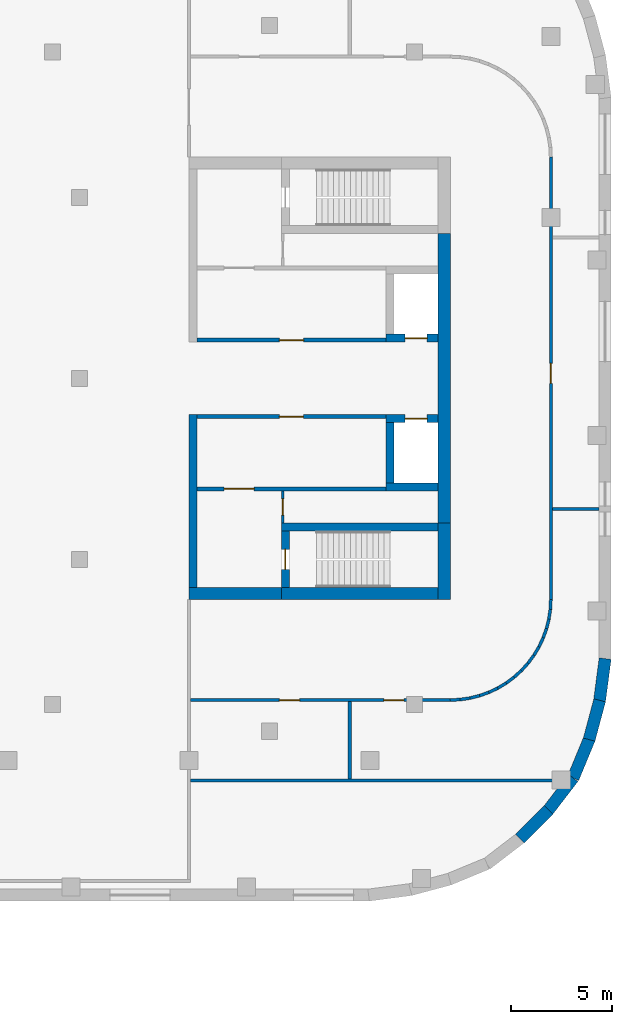
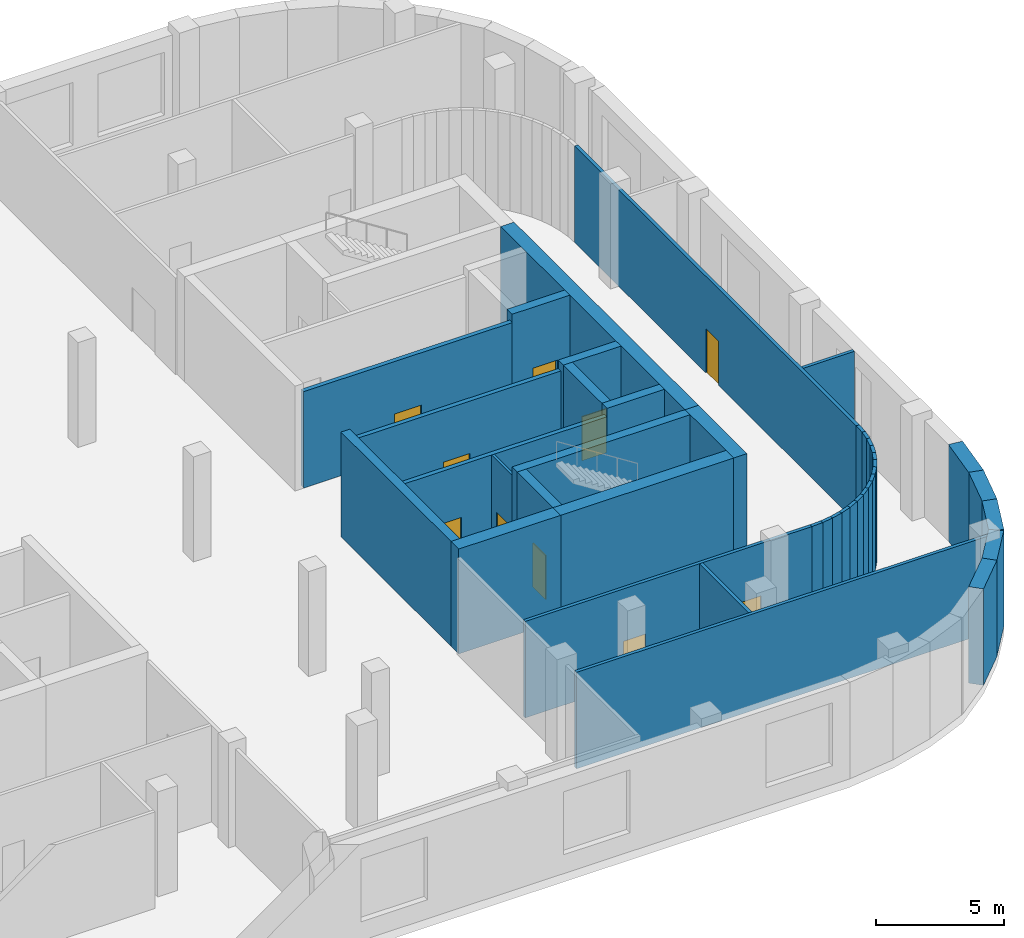
# One storey, part 15 of 20: 41 walls, 10 doors, 10 openings.
"""IFC4 building model written with IfcOpenShell, lengths in metres."""

import ifcopenshell
import ifcopenshell.guid

model = None  # the IFC model being written
_history = None  # IfcOwnerHistory: only IFC2X3 demands one
_inside = {}  # id of a spatial element -> (the spatial element, [elements in it])
_under = {}  # id of a project, library or spatial element -> (it, [spatial elements below it])
_declared = {}  # id of a project -> (the project, [libraries it declares])
_typed = {}  # id of a type object -> (the type object, [elements of that type])
_made_of = {}  # id of a material, layer set ... -> (it, [elements and type objects made of it])


def new_model(schema):
    """Start an empty IFC model of exactly this schema.

    Asked for "IFC4X3", IfcOpenShell would pick the latest addendum, in which some entities
    have other attributes; the version numbers below select the first issue.
    IFC2X3 requires an IfcOwnerHistory on every rooted entity: one is made here for all.
    """
    global model, _history
    if schema == "IFC4X3":
        model = ifcopenshell.file(schema_version=(4, 3, 0, 0))
    else:
        model = ifcopenshell.file(schema=schema)
    _inside.clear()
    _under.clear()
    _declared.clear()
    _typed.clear()
    _made_of.clear()
    _history = None
    if model.schema == "IFC2X3":
        org = make("IfcOrganization", Name="unknown")
        user = make(
            "IfcPersonAndOrganization",
            ThePerson=make("IfcPerson", FamilyName="unknown"),
            TheOrganization=org,
        )
        app = make(
            "IfcApplication",
            ApplicationDeveloper=org,
            Version="unknown",
            ApplicationFullName="unknown",
            ApplicationIdentifier="unknown",
        )
        _history = make(
            "IfcOwnerHistory",
            OwningUser=user,
            OwningApplication=app,
            ChangeAction="ADDED",
            CreationDate=0,
        )
    return model


def make(cls, **values):
    """One entity of the class cls with the attributes given. An attribute that is None is left unset."""
    return model.create_entity(
        cls, **{name: value for name, value in values.items() if value is not None}
    )


def rooted(cls, **values):
    """An entity with a GlobalId (a new one), such as an element, a storey or a relation."""
    return make(cls, GlobalId=ifcopenshell.guid.new(), OwnerHistory=_history, **values)


def si_unit(unit_type, name, prefix=None):
    """IfcSIUnit, for example si_unit("LENGTHUNIT", "METRE", prefix="MILLI")."""
    return make("IfcSIUnit", UnitType=unit_type, Prefix=prefix, Name=name)


def assignment(units):
    """IfcUnitAssignment: the units of a project."""
    return None if units is None else make("IfcUnitAssignment", Units=units)


def point(xyz):
    """IfcCartesianPoint."""
    return None if xyz is None else make("IfcCartesianPoint", Coordinates=xyz)


def direction(xyz):
    """IfcDirection."""
    return None if xyz is None else make("IfcDirection", DirectionRatios=xyz)


def frame(location, z_axis=None, x_axis=None):
    """IfcAxis2Placement3D, a coordinate frame: its origin and axes. An axis left out is left unset."""
    return make(
        "IfcAxis2Placement3D",
        Location=point(location),
        Axis=direction(z_axis),
        RefDirection=direction(x_axis),
    )


def frame_2d(location, x_axis=None):
    """IfcAxis2Placement2D, a coordinate frame in the plane: its origin and x axis."""
    return make(
        "IfcAxis2Placement2D", Location=point(location), RefDirection=direction(x_axis)
    )


def origin():
    """The frame at (0, 0, 0) with its axes left unset."""
    return frame((0.0, 0.0, 0.0))


def place(relative_to, where):
    """IfcLocalPlacement: puts the frame where relative to a parent placement (None: the world)."""
    return make(
        "IfcLocalPlacement", PlacementRelTo=relative_to, RelativePlacement=where
    )


def context(
    kind, dimensions, precision=None, world=None, true_north=None, identifier=None
):
    """IfcGeometricRepresentationContext, for example the 3D "Model" context."""
    return make(
        "IfcGeometricRepresentationContext",
        ContextIdentifier=identifier,
        ContextType=kind,
        CoordinateSpaceDimension=dimensions,
        Precision=precision,
        WorldCoordinateSystem=world,
        TrueNorth=true_north,
    )


def subcontext(parent, identifier, kind, view, scale=None):
    """IfcGeometricRepresentationSubContext, for example "Body" below "Model"."""
    return make(
        "IfcGeometricRepresentationSubContext",
        ContextIdentifier=identifier,
        ContextType=kind,
        ParentContext=parent,
        TargetScale=scale,
        TargetView=view,
    )


def project(units=None, contexts=None):
    """IfcProject with its units and contexts."""
    return rooted(
        "IfcProject",
        Name="project",
        RepresentationContexts=contexts,
        UnitsInContext=assignment(units),
    )


def spatial(cls, under=None, at=None, **own):
    """A site, building, storey or space (cls), placed at a placement, below another one or the project."""
    s = rooted(cls, ObjectPlacement=at, **own)
    if under is not None:
        _under.setdefault(under.id(), (under, []))[1].append(s)
    return s


def profile(cls, at=None, kind="AREA", **sizes):
    """A parametric profile (cls). Its sizes go by their IFC names, for example OverallWidth=200.0."""
    return make(cls, ProfileType=kind, Position=at, **sizes)


def rectangle(**sizes):
    """IfcRectangleProfileDef."""
    return profile("IfcRectangleProfileDef", **sizes)


def extrude(swept, where, along, depth):
    """IfcExtrudedAreaSolid: the profile swept, set in the frame where, extruded along a direction by depth."""
    return make(
        "IfcExtrudedAreaSolid",
        SweptArea=swept,
        Position=where,
        ExtrudedDirection=direction(along),
        Depth=depth,
    )


def shape(context_of_items, identifier, shape_type, items):
    """IfcShapeRepresentation: the items that make up one representation, for example the "Body"."""
    return make(
        "IfcShapeRepresentation",
        ContextOfItems=context_of_items,
        RepresentationIdentifier=identifier,
        RepresentationType=shape_type,
        Items=items,
    )


def material(Name=None, Category=None):
    """IfcMaterial."""
    return make("IfcMaterial", Name=Name, Category=Category)


def layer(
    of_material, thickness, ventilated=None, Name=None, Category=None, Priority=None
):
    """IfcMaterialLayer: one layer of a wall or slab, of a material (None: an air gap)."""
    return make(
        "IfcMaterialLayer",
        Material=of_material,
        LayerThickness=thickness,
        IsVentilated=ventilated,
        Name=Name,
        Category=Category,
        Priority=Priority,
    )


def layer_set(layers, Name=None):
    """IfcMaterialLayerSet."""
    return make("IfcMaterialLayerSet", MaterialLayers=layers, LayerSetName=Name)


def made_of(thing, what):
    """Note that an element or type object is made of a material, layer set ...; save() writes the relation."""
    if what is not None:
        _made_of.setdefault(what.id(), (what, []))[1].append(thing)
    return thing


def type_object(cls, material=None, **own):
    """A type object (cls), such as IfcWallType, which elements share."""
    return made_of(rooted(cls, **own), material)


def element(
    cls,
    number,
    at=None,
    inside=None,
    cuts=None,
    type_object=None,
    material=None,
    context=None,
    identifier="Body",
    shape_type=None,
    held_by="IfcProductDefinitionShape",
    body=None,
    shapes=None,
    **own,
):
    """One element of the class cls, such as IfcWall. Its Tag is "e" and its number.

    at: its placement. inside: the storey or other place that contains it. cuts: it is an
    opening in that element (IfcRelVoidsElement). A single representation is given by context,
    identifier, shape_type and body (its items); several are given by shapes. held_by: the class
    of the entity that holds the representations. save() writes the other relations.
    """
    e = rooted(cls, Tag="e%d" % number, ObjectPlacement=at, **own)
    if body is not None:
        shapes = [shape(context, identifier, shape_type, body)]
    if shapes is not None:
        e.Representation = make(held_by, Representations=shapes)
    if inside is not None:
        _inside.setdefault(inside.id(), (inside, []))[1].append(e)
    if cuts is not None:
        rooted(
            "IfcRelVoidsElement", RelatingBuildingElement=cuts, RelatedOpeningElement=e
        )
    if type_object is not None:
        _typed.setdefault(type_object.id(), (type_object, []))[1].append(e)
    return made_of(e, material)


def fill(opening, filler):
    """IfcRelFillsElement: the door or window that sits in an opening."""
    return rooted(
        "IfcRelFillsElement",
        RelatingOpeningElement=opening,
        RelatedBuildingElement=filler,
    )


def aggregate(whole, parts):
    """IfcRelAggregates: a whole, such as a stair, and the parts it consists of."""
    return rooted("IfcRelAggregates", RelatingObject=whole, RelatedObjects=parts)


def save(model, path):
    """Write the relations noted so far, then the file.

    IfcRelAggregates (storeys below a building ...), IfcRelContainedInSpatialStructure (elements
    in a storey), IfcRelDefinesByType, IfcRelAssociatesMaterial and IfcRelDeclares: one each for
    every whole, place, type object, material and project.
    """
    for whole, parts in _under.values():
        aggregate(whole, parts)
    for where, things in _inside.values():
        rooted(
            "IfcRelContainedInSpatialStructure",
            RelatedElements=things,
            RelatingStructure=where,
        )
    for kind, things in _typed.values():
        rooted("IfcRelDefinesByType", RelatedObjects=things, RelatingType=kind)
    for what, things in _made_of.values():
        rooted("IfcRelAssociatesMaterial", RelatedObjects=things, RelatingMaterial=what)
    for by, libraries in _declared.values():
        rooted("IfcRelDeclares", RelatingContext=by, RelatedDefinitions=libraries)
    model.write(path)


model = new_model("IFC4")

# Units and contexts
model_context = context("Model", 3, precision=1e-05, world=origin(), true_north=direction((0.0, 1.0)))
body_context = subcontext(model_context, "Body", "Model", "MODEL_VIEW")
ifc_project = project(units=[si_unit("LENGTHUNIT", "METRE"), si_unit("AREAUNIT", "SQUARE_METRE"), si_unit("VOLUMEUNIT", "CUBIC_METRE"), si_unit("PLANEANGLEUNIT", "RADIAN"), si_unit("MASSUNIT", "GRAM", prefix="KILO")], contexts=[model_context])

# Site, building, storey
site_placement = place(None, origin())
site = spatial("IfcSite", under=ifc_project, at=site_placement, CompositionType="ELEMENT")
building_placement = place(site_placement, origin())
building = spatial("IfcBuilding", under=site, at=building_placement, Name="Skarvind Civic Tower", CompositionType="ELEMENT")
storey_placement = place(building_placement, frame((0.0, 0.0, 17.5)))
storey = spatial("IfcBuildingStorey", under=building, at=storey_placement, Name="L03", CompositionType="ELEMENT", Elevation=17.5)

# Wall, opening, door
ifc_material_1 = material(Name="Fire-rated masonry partition", Category="masonry")
ifc_layer_1 = layer(ifc_material_1, 0.199951171875)
ifc_layer_set_1 = layer_set([ifc_layer_1], Name="Core enclosure wall 200")
wall_type_1 = type_object("IfcWallType", Name="Core enclosure wall 200", PredefinedType="PARTITIONING", material=ifc_layer_set_1)
wall_1_placement = place(storey_placement, frame((163.800048828125, 126.10009765625, 0.0), z_axis=(0.0, 0.0, 1.0), x_axis=(-1.0, 0.0, 0.0)))
wall_1 = element("IfcWall", 1, at=wall_1_placement, inside=storey, type_object=wall_type_1, Name="Core wall CB", PredefinedType="PARTITIONING", context=body_context, shape_type="SweptSolid", body=[
    extrude(rectangle(XDim=9.400146484375, YDim=0.199951171875, at=frame_2d((4.7001953125, 0.0))), origin(), (0.0, 0.0, 1.0), 4.60009765625),
])
opening_1_placement = place(wall_1_placement, frame((4.10009765625, 0.0, 0.0)))
opening_1 = element("IfcOpeningElement", 2, at=opening_1_placement, cuts=wall_1, Name="Opening D-L03-CB-03", PredefinedType="OPENING", context=body_context, shape_type="SweptSolid", body=[
    extrude(rectangle(XDim=1.199951171875, YDim=2.10009765625, at=frame_2d((0.60009765625, 1.050048828125))), frame((0.0, 0.10986328125, 0.0), z_axis=(0.0, -1.0, 0.0), x_axis=(1.0, 0.0, 0.0)), (0.0, 0.0, 1.0), 0.219970703125),
])
ifc_material_2 = material(Name="Fire-rated steel door", Category="steel")
door_type_1 = type_object("IfcDoorType", Name="Core lobby door 1200", OperationType="NOTDEFINED", PredefinedType="DOOR", material=ifc_material_2)
door_1_placement = place(opening_1_placement, origin())
door_1 = element("IfcDoor", 3, at=door_1_placement, inside=storey, type_object=door_type_1, Name="Fire door", OperationType="DOUBLE_DOOR_SINGLE_SWING", OverallHeight=2.10009765625, OverallWidth=1.199951171875, PredefinedType="DOOR", context=body_context, shape_type="SweptSolid", body=[
    extrude(rectangle(XDim=1.199951171875, YDim=2.10009765625, at=frame_2d((0.60009765625, 1.050048828125))), frame((0.0, 0.02490234375, 0.0), z_axis=(0.0, -1.0, 0.0), x_axis=(1.0, 0.0, 0.0)), (0.0, 0.0, 1.0), 0.050048828125),
])
fill(opening_1, door_1)

wall_2_placement = place(storey_placement, frame((163.800048828125, 122.5, 0.0), z_axis=(0.0, 0.0, 1.0), x_axis=(-1.0, 0.0, 0.0)))
wall_2 = element("IfcWall", 4, at=wall_2_placement, inside=storey, type_object=wall_type_1, Name="Core wall CB", PredefinedType="PARTITIONING", context=body_context, shape_type="SweptSolid", body=[
    extrude(rectangle(XDim=9.400146484375, YDim=0.199951171875, at=frame_2d((4.7001953125, 0.0))), origin(), (0.0, 0.0, 1.0), 4.60009765625),
])
opening_2_placement = place(wall_2_placement, frame((6.550048828125, 0.0, 0.0)))
opening_2 = element("IfcOpeningElement", 5, at=opening_2_placement, cuts=wall_2, Name="Opening D-L03-CB-04", PredefinedType="OPENING", context=body_context, shape_type="SweptSolid", body=[
    extrude(rectangle(XDim=1.5, YDim=2.10009765625, at=frame_2d((0.75, 1.050048828125))), frame((0.0, 0.10986328125, 0.0), z_axis=(0.0, -1.0, 0.0), x_axis=(1.0, 0.0, 0.0)), (0.0, 0.0, 1.0), 0.219970703125),
])
door_type_2 = type_object("IfcDoorType", Name="Fire door 1500", OperationType="NOTDEFINED", PredefinedType="DOOR", material=ifc_material_2)
door_2_placement = place(opening_2_placement, origin())
door_2 = element("IfcDoor", 6, at=door_2_placement, inside=storey, type_object=door_type_2, Name="Fire door", OperationType="DOUBLE_DOOR_SINGLE_SWING", OverallHeight=2.10009765625, OverallWidth=1.5, PredefinedType="DOOR", context=body_context, shape_type="SweptSolid", body=[
    extrude(rectangle(XDim=1.5, YDim=2.10009765625, at=frame_2d((0.75, 1.050048828125))), frame((0.0, 0.02490234375, 0.0), z_axis=(0.0, -1.0, 0.0), x_axis=(1.0, 0.0, 0.0)), (0.0, 0.0, 1.0), 0.050048828125),
])
fill(opening_2, door_2)

wall_3_placement = place(storey_placement, frame((154.39990234375, 129.89990234375, 0.0), z_axis=(0.0, 0.0, 1.0), x_axis=(1.0, 0.0, 0.0)))
wall_3 = element("IfcWall", 7, at=wall_3_placement, inside=storey, type_object=wall_type_1, Name="Core wall CB", PredefinedType="PARTITIONING", context=body_context, shape_type="SweptSolid", body=[
    extrude(rectangle(XDim=9.400146484375, YDim=0.199951171875, at=frame_2d((4.7001953125, 0.0))), origin(), (0.0, 0.0, 1.0), 4.60009765625),
])
opening_3_placement = place(wall_3_placement, frame((4.10009765625, 0.0, 0.0)))
opening_3 = element("IfcOpeningElement", 8, at=opening_3_placement, cuts=wall_3, Name="Opening D-L03-CB-07", PredefinedType="OPENING", context=body_context, shape_type="SweptSolid", body=[
    extrude(rectangle(XDim=1.199951171875, YDim=2.10009765625, at=frame_2d((0.60009765625, 1.050048828125))), frame((0.0, 0.10986328125, 0.0), z_axis=(0.0, -1.0, 0.0), x_axis=(1.0, 0.0, 0.0)), (0.0, 0.0, 1.0), 0.219970703125),
])
door_3_placement = place(opening_3_placement, origin())
door_3 = element("IfcDoor", 9, at=door_3_placement, inside=storey, type_object=door_type_1, Name="Fire door", OperationType="DOUBLE_DOOR_SINGLE_SWING", OverallHeight=2.10009765625, OverallWidth=1.199951171875, PredefinedType="DOOR", context=body_context, shape_type="SweptSolid", body=[
    extrude(rectangle(XDim=1.199951171875, YDim=2.10009765625, at=frame_2d((0.60009765625, 1.050048828125))), frame((0.0, 0.02490234375, 0.0), z_axis=(0.0, -1.0, 0.0), x_axis=(1.0, 0.0, 0.0)), (0.0, 0.0, 1.0), 0.050048828125),
])
fill(opening_3, door_3)

# Wall
ifc_material_3 = material(Name="Concrete C80", Category="concrete")
ifc_layer_2 = layer(ifc_material_3, 0.39990234375)
ifc_layer_set_2 = layer_set([ifc_layer_2], Name="Core wall 400 C80")
wall_type_2 = type_object("IfcWallType", Name="Core wall 400 C80", PredefinedType="SHEAR", material=ifc_layer_set_2)
wall_4_placement = place(storey_placement, frame((166.39990234375, 120.60009765625, 0.0), z_axis=(0.0, 0.0, 1.0), x_axis=(-1.0, 0.0, 0.0)))
element("IfcWall", 10, at=wall_4_placement, inside=storey, type_object=wall_type_2, Name="Core wall CB north stair inner L03", PredefinedType="SHEAR", context=body_context, shape_type="SweptSolid", body=[
    extrude(rectangle(XDim=7.7998046875, YDim=0.39990234375, at=frame_2d((3.89990234375, 0.0))), origin(), (0.0, 0.0, 1.0), 5.0),
])

# Wall, opening, door
wall_5_placement = place(storey_placement, frame((158.800048828125, 120.39990234375, 0.0), z_axis=(0.0, 0.0, 1.0), x_axis=(0.0, -1.0, 0.0)))
wall_5 = element("IfcWall", 11, at=wall_5_placement, inside=storey, type_object=wall_type_2, Name="Core wall CB north stair end L03", PredefinedType="SHEAR", context=body_context, shape_type="SweptSolid", body=[
    extrude(rectangle(XDim=2.7998046875, YDim=0.39990234375, at=frame_2d((1.39990234375, 0.0))), origin(), (0.0, 0.0, 1.0), 5.0),
])
opening_4_placement = place(wall_5_placement, frame((0.89990234375, 0.0, 0.0)))
opening_4 = element("IfcOpeningElement", 12, at=opening_4_placement, cuts=wall_5, Name="Opening D-L03-CB-05", PredefinedType="OPENING", context=body_context, shape_type="SweptSolid", body=[
    extrude(rectangle(XDim=1.0, YDim=2.10009765625, at=frame_2d((0.5, 1.050048828125))), frame((0.0, 0.2099609375, 0.0), z_axis=(0.0, -1.0, 0.0), x_axis=(1.0, 0.0, 0.0)), (0.0, 0.0, 1.0), 0.419921875),
])
door_type_3 = type_object("IfcDoorType", Name="Fire door 1000", OperationType="NOTDEFINED", PredefinedType="DOOR", material=ifc_material_2)
door_4_placement = place(opening_4_placement, origin())
door_4 = element("IfcDoor", 13, at=door_4_placement, inside=storey, type_object=door_type_3, Name="Fire door", OperationType="SINGLE_SWING_LEFT", OverallHeight=2.10009765625, OverallWidth=1.0, PredefinedType="DOOR", context=body_context, shape_type="SweptSolid", body=[
    extrude(rectangle(XDim=1.0, YDim=2.10009765625, at=frame_2d((0.5, 1.050048828125))), frame((0.0, 0.02490234375, 0.0), z_axis=(0.0, -1.0, 0.0), x_axis=(1.0, 0.0, 0.0)), (0.0, 0.0, 1.0), 0.050048828125),
])
fill(opening_4, door_4)

wall_6_placement = place(storey_placement, frame((166.39990234375, 130.0, 0.0), z_axis=(0.0, 0.0, 1.0), x_axis=(-1.0, 0.0, 0.0)))
wall_6 = element("IfcWall", 14, at=wall_6_placement, inside=storey, type_object=wall_type_2, Name="Core wall CB south lift row front L03", PredefinedType="SHEAR", context=body_context, shape_type="SweptSolid", body=[
    extrude(rectangle(XDim=2.599853515625, YDim=0.39990234375, at=frame_2d((1.2998046875, 0.0))), origin(), (0.0, 0.0, 1.0), 5.0),
])
opening_5_placement = place(wall_6_placement, frame((0.550048828125, 0.0, 0.0)))
opening_5 = element("IfcOpeningElement", 15, at=opening_5_placement, cuts=wall_6, Name="Opening LD05402", PredefinedType="OPENING", context=body_context, shape_type="SweptSolid", body=[
    extrude(rectangle(XDim=1.10009765625, YDim=2.10009765625, at=frame_2d((0.550048828125, 1.050048828125))), frame((0.0, 0.2099609375, 0.0), z_axis=(0.0, -1.0, 0.0), x_axis=(1.0, 0.0, 0.0)), (0.0, 0.0, 1.0), 0.419921875),
])
ifc_material_4 = material(Name="Stainless steel landing door", Category="steel")
door_type_4 = type_object("IfcDoorType", Name="Lift landing door 1100", OperationType="DOUBLE_DOOR_SLIDING", PredefinedType="DOOR", material=ifc_material_4)
door_5_placement = place(opening_5_placement, origin())
door_5 = element("IfcDoor", 16, at=door_5_placement, inside=storey, type_object=door_type_4, Name="Lift landing door", OperationType="DOUBLE_DOOR_SLIDING", OverallHeight=2.10009765625, OverallWidth=1.10009765625, PredefinedType="DOOR", context=body_context, shape_type="SweptSolid", body=[
    extrude(rectangle(XDim=1.10009765625, YDim=2.10009765625, at=frame_2d((0.550048828125, 1.050048828125))), frame((0.0, 0.02490234375, 0.0), z_axis=(0.0, -1.0, 0.0), x_axis=(1.0, 0.0, 0.0)), (0.0, 0.0, 1.0), 0.050048828125),
])
fill(opening_5, door_5)

wall_7_placement = place(storey_placement, frame((166.39990234375, 126.0, 0.0), z_axis=(0.0, 0.0, 1.0), x_axis=(-1.0, 0.0, 0.0)))
wall_7 = element("IfcWall", 17, at=wall_7_placement, inside=storey, type_object=wall_type_2, Name="Core wall CB north lift row front L03", PredefinedType="SHEAR", context=body_context, shape_type="SweptSolid", body=[
    extrude(rectangle(XDim=2.599853515625, YDim=0.39990234375, at=frame_2d((1.2998046875, 0.0))), origin(), (0.0, 0.0, 1.0), 5.0),
])
opening_6_placement = place(wall_7_placement, frame((0.550048828125, 0.0, 0.0)))
opening_6 = element("IfcOpeningElement", 18, at=opening_6_placement, cuts=wall_7, Name="Opening LD05401", PredefinedType="OPENING", context=body_context, shape_type="SweptSolid", body=[
    extrude(rectangle(XDim=1.10009765625, YDim=2.10009765625, at=frame_2d((0.550048828125, 1.050048828125))), frame((0.0, 0.2099609375, 0.0), z_axis=(0.0, -1.0, 0.0), x_axis=(1.0, 0.0, 0.0)), (0.0, 0.0, 1.0), 0.419921875),
])
door_6_placement = place(opening_6_placement, origin())
door_6 = element("IfcDoor", 19, at=door_6_placement, inside=storey, type_object=door_type_4, Name="Lift landing door", OperationType="DOUBLE_DOOR_SLIDING", OverallHeight=2.10009765625, OverallWidth=1.10009765625, PredefinedType="DOOR", context=body_context, shape_type="SweptSolid", body=[
    extrude(rectangle(XDim=1.10009765625, YDim=2.10009765625, at=frame_2d((0.550048828125, 1.050048828125))), frame((0.0, 0.02490234375, 0.0), z_axis=(0.0, -1.0, 0.0), x_axis=(1.0, 0.0, 0.0)), (0.0, 0.0, 1.0), 0.050048828125),
])
fill(opening_6, door_6)

# Walls
wall_8_placement = place(storey_placement, frame((166.39990234375, 122.60009765625, 0.0), z_axis=(0.0, 0.0, 1.0), x_axis=(-1.0, 0.0, 0.0)))
element("IfcWall", 20, at=wall_8_placement, inside=storey, type_object=wall_type_2, Name="Core wall CB north lift row back L03", PredefinedType="SHEAR", context=body_context, shape_type="SweptSolid", body=[
    extrude(rectangle(XDim=2.599853515625, YDim=0.39990234375, at=frame_2d((1.2998046875, 0.0))), origin(), (0.0, 0.0, 1.0), 5.0),
])
wall_9_placement = place(storey_placement, frame((164.0, 125.800048828125, 0.0), z_axis=(0.0, 0.0, 1.0), x_axis=(0.0, -1.0, 0.0)))
element("IfcWall", 21, at=wall_9_placement, inside=storey, type_object=wall_type_2, Name="Core wall CB north lift row division 1 L03", PredefinedType="SHEAR", context=body_context, shape_type="SweptSolid", body=[
    extrude(rectangle(XDim=3.0, YDim=0.39990234375, at=frame_2d((1.5, 0.0))), origin(), (0.0, 0.0, 1.0), 5.0),
])
wall_10_placement = place(storey_placement, frame((154.199951171875, 126.199951171875, 0.0), z_axis=(0.0, 0.0, 1.0), x_axis=(0.0, -1.0, 0.0)))
element("IfcWall", 22, at=wall_10_placement, inside=storey, type_object=wall_type_2, Name="Core wall CB north inner face L03", PredefinedType="SHEAR", context=body_context, shape_type="SweptSolid", body=[
    extrude(rectangle(XDim=8.599853515625, YDim=0.39990234375, at=frame_2d((4.2998046875, 0.0))), origin(), (0.0, 0.0, 1.0), 5.0),
])
ifc_layer_3 = layer(ifc_material_3, 0.60009765625)
ifc_layer_set_3 = layer_set([ifc_layer_3], Name="Core wall 600 C80")
wall_type_3 = type_object("IfcWallType", Name="Core wall 600 C80", PredefinedType="SHEAR", material=ifc_layer_set_3)
wall_11_placement = place(storey_placement, frame((166.699951171875, 135.199951171875, 0.0), z_axis=(0.0, 0.0, 1.0), x_axis=(0.0, -1.0, 0.0)))
element("IfcWall", 23, at=wall_11_placement, inside=storey, type_object=wall_type_3, Name="Core wall CB tip between the stairs L03", PredefinedType="SHEAR", context=body_context, shape_type="SweptSolid", body=[
    extrude(rectangle(XDim=14.39990234375, YDim=0.60009765625, at=frame_2d((7.199951171875, 0.0))), origin(), (0.0, 0.0, 1.0), 5.0),
])
wall_12_placement = place(storey_placement, frame((166.699951171875, 120.800048828125, 0.0), z_axis=(0.0, 0.0, 1.0), x_axis=(0.0, -1.0, 0.0)))
element("IfcWall", 24, at=wall_12_placement, inside=storey, type_object=wall_type_3, Name="Core wall CB tip at the north stair L03", PredefinedType="SHEAR", context=body_context, shape_type="SweptSolid", body=[
    extrude(rectangle(XDim=3.800048828125, YDim=0.60009765625, at=frame_2d((1.89990234375, 0.0))), origin(), (0.0, 0.0, 1.0), 5.0),
])
wall_13_placement = place(storey_placement, frame((166.39990234375, 117.300048828125, 0.0), z_axis=(0.0, 0.0, 1.0), x_axis=(-1.0, 0.0, 0.0)))
element("IfcWall", 25, at=wall_13_placement, inside=storey, type_object=wall_type_3, Name="Core wall CB north side at the stair L03", PredefinedType="SHEAR", context=body_context, shape_type="SweptSolid", body=[
    extrude(rectangle(XDim=7.7998046875, YDim=0.60009765625, at=frame_2d((3.89990234375, 0.0))), origin(), (0.0, 0.0, 1.0), 5.0),
])
wall_14_placement = place(storey_placement, frame((158.60009765625, 117.300048828125, 0.0), z_axis=(0.0, 0.0, 1.0), x_axis=(-1.0, 0.0, 0.0)))
element("IfcWall", 26, at=wall_14_placement, inside=storey, type_object=wall_type_3, Name="Core wall CB north side L03", PredefinedType="SHEAR", context=body_context, shape_type="SweptSolid", body=[
    extrude(rectangle(XDim=4.60009765625, YDim=0.60009765625, at=frame_2d((2.300048828125, 0.0))), origin(), (0.0, 0.0, 1.0), 5.0),
])
ifc_material_5 = material(Name="Plasterboard partition on steel studs", Category="steel")
ifc_layer_4 = layer(ifc_material_5, 0.14990234375)
ifc_layer_set_4 = layer_set([ifc_layer_4], Name="PARTITION 150")
wall_type_4 = type_object("IfcWallType", Name="PARTITION 150", PredefinedType="PARTITIONING", material=ifc_layer_set_4)
wall_15_placement = place(storey_placement, frame((154.074951171875, 108.0, 0.0), z_axis=(0.0, 0.0, 1.0), x_axis=(1.0, 0.0, 0.0)))
element("IfcWall", 27, at=wall_15_placement, inside=storey, type_object=wall_type_4, Name="Podium partition L03 280", PredefinedType="PARTITIONING", context=body_context, shape_type="SweptSolid", body=[
    extrude(rectangle(XDim=18.55712890625, YDim=0.14990234375, at=frame_2d((9.278564453125, 0.0))), origin(), (0.0, 0.0, 1.0), 4.60009765625),
])

# Wall, openings, doors
wall_16_placement = place(storey_placement, frame((167.001953125, 112.0, 0.0), z_axis=(0.0, 0.0, 1.0), x_axis=(-1.0, 0.0, 0.0)))
wall_16 = element("IfcWall", 28, at=wall_16_placement, inside=storey, type_object=wall_type_4, Name="Podium partition L03 281", PredefinedType="PARTITIONING", context=body_context, shape_type="SweptSolid", body=[
    extrude(rectangle(XDim=12.927001953125, YDim=0.14990234375, at=frame_2d((6.46337890625, 0.0))), origin(), (0.0, 0.0, 1.0), 4.60009765625),
])
opening_7_placement = place(wall_16_placement, frame((7.5, 0.0, 0.0)))
opening_7 = element("IfcOpeningElement", 29, at=opening_7_placement, cuts=wall_16, Name="Opening L03-D239", PredefinedType="OPENING", context=body_context, shape_type="SweptSolid", body=[
    extrude(rectangle(XDim=1.0, YDim=2.10009765625, at=frame_2d((0.5, 1.050048828125))), frame((0.0, 0.0849609375, 0.0), z_axis=(0.0, -1.0, 0.0), x_axis=(1.0, 0.0, 0.0)), (0.0, 0.0, 1.0), 0.169921875),
])
opening_8_placement = place(wall_16_placement, frame((2.303955078125, 0.0, 0.0)))
opening_8 = element("IfcOpeningElement", 30, at=opening_8_placement, cuts=wall_16, Name="Opening L03-D240", PredefinedType="OPENING", context=body_context, shape_type="SweptSolid", body=[
    extrude(rectangle(XDim=1.0, YDim=2.10009765625, at=frame_2d((0.5, 1.050048828125))), frame((0.0, 0.0849609375, 0.0), z_axis=(0.0, -1.0, 0.0), x_axis=(1.0, 0.0, 0.0)), (0.0, 0.0, 1.0), 0.169921875),
])
ifc_material_6 = material(Name="Timber veneer door leaf", Category="wood")
door_type_5 = type_object("IfcDoorType", Name="DOOR 1000X2100 TIMBER", OperationType="NOTDEFINED", PredefinedType="DOOR", material=ifc_material_6)
door_7_placement = place(opening_7_placement, origin())
door_7 = element("IfcDoor", 31, at=door_7_placement, inside=storey, type_object=door_type_5, Name="DOOR DOOR", OperationType="SINGLE_SWING_LEFT", OverallHeight=2.10009765625, OverallWidth=1.0, PredefinedType="DOOR", context=body_context, shape_type="SweptSolid", body=[
    extrude(rectangle(XDim=1.0, YDim=2.10009765625, at=frame_2d((0.5, 1.050048828125))), frame((0.0, 0.02490234375, 0.0), z_axis=(0.0, -1.0, 0.0), x_axis=(1.0, 0.0, 0.0)), (0.0, 0.0, 1.0), 0.050048828125),
])
fill(opening_7, door_7)
door_8_placement = place(opening_8_placement, origin())
door_8 = element("IfcDoor", 32, at=door_8_placement, inside=storey, type_object=door_type_5, Name="DOOR DOOR", OperationType="SINGLE_SWING_RIGHT", OverallHeight=2.10009765625, OverallWidth=1.0, PredefinedType="DOOR", context=body_context, shape_type="SweptSolid", body=[
    extrude(rectangle(XDim=1.0, YDim=2.10009765625, at=frame_2d((0.5, 1.050048828125))), frame((0.0, 0.02490234375, 0.0), z_axis=(0.0, -1.0, 0.0), x_axis=(1.0, 0.0, 0.0)), (0.0, 0.0, 1.0), 0.050048828125),
])
fill(opening_8, door_8)

# Walls
wall_17_placement = place(storey_placement, frame((162.0, 108.074951171875, 0.0), z_axis=(0.0, 0.0, 1.0), x_axis=(0.0, 1.0, 0.0)))
element("IfcWall", 33, at=wall_17_placement, inside=storey, type_object=wall_type_4, Name="Podium partition L03 285", PredefinedType="PARTITIONING", context=body_context, shape_type="SweptSolid", body=[
    extrude(rectangle(XDim=3.85009765625, YDim=0.14990234375, at=frame_2d((1.925048828125, 0.0))), origin(), (0.0, 0.0, 1.0), 4.60009765625),
])
wall_18_placement = place(storey_placement, frame((166.998046875, 112.0, 0.0), z_axis=(0.0, 0.0, 1.0), x_axis=(0.998837896651, 0.048196018647, 0.0)))
element("IfcWall", 34, at=wall_18_placement, inside=storey, type_object=wall_type_4, Name="Podium partition L03 287", PredefinedType="PARTITIONING", context=body_context, shape_type="SweptSolid", body=[
    extrude(rectangle(XDim=0.496337890625, YDim=0.14990234375, at=frame_2d((0.248046875, 0.0))), origin(), (0.0, 0.0, 1.0), 4.60009765625),
])
wall_19_placement = place(storey_placement, frame((167.486083984375, 112.02294921875, 0.0), z_axis=(0.0, 0.0, 1.0), x_axis=(0.988925572052, 0.148412307247, 0.0)))
element("IfcWall", 35, at=wall_19_placement, inside=storey, type_object=wall_type_4, Name="Podium partition L03 289", PredefinedType="PARTITIONING", context=body_context, shape_type="SweptSolid", body=[
    extrude(rectangle(XDim=0.49853515625, YDim=0.14990234375, at=frame_2d((0.249267578125, 0.0))), origin(), (0.0, 0.0, 1.0), 4.60009765625),
])
wall_20_placement = place(storey_placement, frame((167.970947265625, 112.094970703125, 0.0), z_axis=(0.0, 0.0, 1.0), x_axis=(0.970113715952, 0.242650732785, 0.0)))
element("IfcWall", 36, at=wall_20_placement, inside=storey, type_object=wall_type_4, Name="Podium partition L03 291", PredefinedType="PARTITIONING", context=body_context, shape_type="SweptSolid", body=[
    extrude(rectangle(XDim=0.4990234375, YDim=0.14990234375, at=frame_2d((0.24951171875, 0.0))), origin(), (0.0, 0.0, 1.0), 4.60009765625),
])
for number, where, z_axis, x_axis, name in (
    (37, (168.447021484375, 112.214111328125, 0.0), (0.0, 0.0, 1.0), (0.941442168887, 0.3371744988, 0.0), "Podium partition L03 293"),
    (38, (168.909912109375, 112.37890625, 0.0), (0.0, 0.0, 1.0), (0.903827641978, 0.427896709028, 0.0), "Podium partition L03 295"),
):
    element("IfcWall", number, at=place(storey_placement, frame(where, z_axis=z_axis, x_axis=x_axis)), inside=storey, type_object=wall_type_4, Name=name, PredefinedType="PARTITIONING", context=body_context, shape_type="SweptSolid", body=[
        extrude(rectangle(XDim=0.498046875, YDim=0.14990234375, at=frame_2d((0.2490234375, 0.0))), origin(), (0.0, 0.0, 1.0), 4.60009765625),
    ])
wall_21_placement = place(storey_placement, frame((169.35400390625, 112.587890625, 0.0), z_axis=(0.0, 0.0, 1.0), x_axis=(0.85671397893, 0.515791778052, 0.0)))
element("IfcWall", 39, at=wall_21_placement, inside=storey, type_object=wall_type_4, Name="Podium partition L03 297", PredefinedType="PARTITIONING", context=body_context, shape_type="SweptSolid", body=[
    extrude(rectangle(XDim=0.49853515625, YDim=0.14990234375, at=frame_2d((0.249267578125, 0.0))), origin(), (0.0, 0.0, 1.0), 4.60009765625),
])
wall_22_placement = place(storey_placement, frame((169.77490234375, 112.841064453125, 0.0), z_axis=(0.0, 0.0, 1.0), x_axis=(0.80404358372, 0.594570362092, 0.0)))
element("IfcWall", 40, at=wall_22_placement, inside=storey, type_object=wall_type_4, Name="Podium partition L03 299", PredefinedType="PARTITIONING", context=body_context, shape_type="SweptSolid", body=[
    extrude(rectangle(XDim=0.49755859375, YDim=0.14990234375, at=frame_2d((0.248779296875, 0.0))), origin(), (0.0, 0.0, 1.0), 4.60009765625),
])
for number, where, z_axis, x_axis, name in (
    (41, (170.1689453125, 113.133056640625, 0.0), (0.0, 0.0, 1.0), (0.742416880587, 0.66993818776, 0.0), "Podium partition L03 301"),
    (42, (170.532958984375, 113.4609375, 0.0), (0.0, 0.0, 1.0), (0.66993818776, 0.742416880587, 0.0), "Podium partition L03 303"),
):
    element("IfcWall", number, at=place(storey_placement, frame(where, z_axis=z_axis, x_axis=x_axis)), inside=storey, type_object=wall_type_4, Name=name, PredefinedType="PARTITIONING", context=body_context, shape_type="SweptSolid", body=[
        extrude(rectangle(XDim=0.49853515625, YDim=0.14990234375, at=frame_2d((0.249267578125, 0.0))), origin(), (0.0, 0.0, 1.0), 4.60009765625),
    ])
wall_23_placement = place(storey_placement, frame((170.863037109375, 113.824951171875, 0.0), z_axis=(0.0, 0.0, 1.0), x_axis=(0.594570362092, 0.80404358372, 0.0)))
element("IfcWall", 43, at=wall_23_placement, inside=storey, type_object=wall_type_4, Name="Podium partition L03 305", PredefinedType="PARTITIONING", context=body_context, shape_type="SweptSolid", body=[
    extrude(rectangle(XDim=0.49755859375, YDim=0.14990234375, at=frame_2d((0.248779296875, 0.0))), origin(), (0.0, 0.0, 1.0), 4.60009765625),
])
wall_24_placement = place(storey_placement, frame((171.155029296875, 114.218994140625, 0.0), z_axis=(0.0, 0.0, 1.0), x_axis=(0.515791778052, 0.85671397893, 0.0)))
element("IfcWall", 44, at=wall_24_placement, inside=storey, type_object=wall_type_4, Name="Podium partition L03 307", PredefinedType="PARTITIONING", context=body_context, shape_type="SweptSolid", body=[
    extrude(rectangle(XDim=0.49853515625, YDim=0.14990234375, at=frame_2d((0.249267578125, 0.0))), origin(), (0.0, 0.0, 1.0), 4.60009765625),
])
for number, where, z_axis, x_axis, name in (
    (45, (171.407958984375, 114.639892578125, 0.0), (0.0, 0.0, 1.0), (0.427896709028, 0.903827641978, 0.0), "Podium partition L03 309"),
    (46, (171.617919921875, 115.083984375, 0.0), (0.0, 0.0, 1.0), (0.3371744988, 0.941442168887, 0.0), "Podium partition L03 311"),
):
    element("IfcWall", number, at=place(storey_placement, frame(where, z_axis=z_axis, x_axis=x_axis)), inside=storey, type_object=wall_type_4, Name=name, PredefinedType="PARTITIONING", context=body_context, shape_type="SweptSolid", body=[
        extrude(rectangle(XDim=0.498046875, YDim=0.14990234375, at=frame_2d((0.2490234375, 0.0))), origin(), (0.0, 0.0, 1.0), 4.60009765625),
    ])
wall_25_placement = place(storey_placement, frame((171.783935546875, 115.544921875, 0.0), z_axis=(0.0, 0.0, 1.0), x_axis=(0.242650732785, 0.970113715952, 0.0)))
element("IfcWall", 47, at=wall_25_placement, inside=storey, type_object=wall_type_4, Name="Podium partition L03 313", PredefinedType="PARTITIONING", context=body_context, shape_type="SweptSolid", body=[
    extrude(rectangle(XDim=0.4990234375, YDim=0.14990234375, at=frame_2d((0.24951171875, 0.0))), origin(), (0.0, 0.0, 1.0), 4.60009765625),
])
wall_26_placement = place(storey_placement, frame((171.903076171875, 116.02099609375, 0.0), z_axis=(0.0, 0.0, 1.0), x_axis=(0.148412307247, 0.988925572052, 0.0)))
element("IfcWall", 48, at=wall_26_placement, inside=storey, type_object=wall_type_4, Name="Podium partition L03 315", PredefinedType="PARTITIONING", context=body_context, shape_type="SweptSolid", body=[
    extrude(rectangle(XDim=0.49853515625, YDim=0.14990234375, at=frame_2d((0.249267578125, 0.0))), origin(), (0.0, 0.0, 1.0), 4.60009765625),
])
wall_27_placement = place(storey_placement, frame((171.97607421875, 116.506103515625, 0.0), z_axis=(0.0, 0.0, 1.0), x_axis=(0.048196018647, 0.998837896651, 0.0)))
element("IfcWall", 49, at=wall_27_placement, inside=storey, type_object=wall_type_4, Name="Podium partition L03 317", PredefinedType="PARTITIONING", context=body_context, shape_type="SweptSolid", body=[
    extrude(rectangle(XDim=0.496337890625, YDim=0.14990234375, at=frame_2d((0.248046875, 0.0))), origin(), (0.0, 0.0, 1.0), 4.60009765625),
])

# Wall, opening, door
wall_28_placement = place(storey_placement, frame((172.0, 139.001953125, 0.0), z_axis=(0.0, 0.0, 1.0), x_axis=(0.0, -1.0, 0.0)))
wall_28 = element("IfcWall", 50, at=wall_28_placement, inside=storey, type_object=wall_type_4, Name="Podium partition L03 319", PredefinedType="PARTITIONING", context=body_context, shape_type="SweptSolid", body=[
    extrude(rectangle(XDim=22.00390625, YDim=0.14990234375, at=frame_2d((11.001953125, 0.0))), origin(), (0.0, 0.0, 1.0), 4.60009765625),
])
opening_9_placement = place(wall_28_placement, frame((10.251953125, 0.0, 0.0)))
opening_9 = element("IfcOpeningElement", 51, at=opening_9_placement, cuts=wall_28, Name="Opening L03-D242", PredefinedType="OPENING", context=body_context, shape_type="SweptSolid", body=[
    extrude(rectangle(XDim=1.0, YDim=2.10009765625, at=frame_2d((0.5, 1.050048828125))), frame((0.0, 0.0849609375, 0.0), z_axis=(0.0, -1.0, 0.0), x_axis=(1.0, 0.0, 0.0)), (0.0, 0.0, 1.0), 0.169921875),
])
door_9_placement = place(opening_9_placement, origin())
door_9 = element("IfcDoor", 52, at=door_9_placement, inside=storey, type_object=door_type_5, Name="DOOR DOOR", OperationType="SINGLE_SWING_LEFT", OverallHeight=2.10009765625, OverallWidth=1.0, PredefinedType="DOOR", context=body_context, shape_type="SweptSolid", body=[
    extrude(rectangle(XDim=1.0, YDim=2.10009765625, at=frame_2d((0.5, 1.050048828125))), frame((0.0, 0.02490234375, 0.0), z_axis=(0.0, -1.0, 0.0), x_axis=(1.0, 0.0, 0.0)), (0.0, 0.0, 1.0), 0.050048828125),
])
fill(opening_9, door_9)

# Wall
wall_29_placement = place(storey_placement, frame((172.074951171875, 121.5, 0.0), z_axis=(0.0, 0.0, 1.0), x_axis=(1.0, 0.0, 0.0)))
element("IfcWall", 53, at=wall_29_placement, inside=storey, type_object=wall_type_4, Name="Podium partition L03 320", PredefinedType="PARTITIONING", context=body_context, shape_type="SweptSolid", body=[
    extrude(rectangle(XDim=2.324951171875, YDim=0.14990234375, at=frame_2d((1.16259765625, 0.0))), origin(), (0.0, 0.0, 1.0), 4.60009765625),
])

# Wall, opening, door
ifc_layer_5 = layer(ifc_material_1, 0.125)
ifc_layer_set_5 = layer_set([ifc_layer_5], Name="Riser wall 125")
wall_type_5 = type_object("IfcWallType", Name="Riser wall 125", PredefinedType="PARTITIONING", material=ifc_layer_set_5)
wall_30_placement = place(storey_placement, frame((158.66259765625, 120.800048828125, 0.0), z_axis=(0.0, 0.0, 1.0), x_axis=(0.0, 1.0, 0.0)))
wall_30 = element("IfcWall", 54, at=wall_30_placement, inside=storey, type_object=wall_type_5, Name="Core wall CB", PredefinedType="PARTITIONING", context=body_context, shape_type="SweptSolid", body=[
    extrude(rectangle(XDim=1.599853515625, YDim=0.125, at=frame_2d((0.7998046875, 0.0))), origin(), (0.0, 0.0, 1.0), 4.60009765625),
])
opening_10_placement = place(wall_30_placement, frame((0.39990234375, 0.0, 0.0)))
opening_10 = element("IfcOpeningElement", 55, at=opening_10_placement, cuts=wall_30, Name="Opening D-L03-CB-06", PredefinedType="OPENING", context=body_context, shape_type="SweptSolid", body=[
    extrude(rectangle(XDim=0.800048828125, YDim=2.10009765625, at=frame_2d((0.39990234375, 1.050048828125))), frame((0.0, 0.072509765625, 0.0), z_axis=(0.0, -1.0, 0.0), x_axis=(1.0, 0.0, 0.0)), (0.0, 0.0, 1.0), 0.14501953125),
])
door_type_6 = type_object("IfcDoorType", Name="Core riser door 800", OperationType="NOTDEFINED", PredefinedType="DOOR", material=ifc_material_2)
door_10_placement = place(opening_10_placement, origin())
door_10 = element("IfcDoor", 56, at=door_10_placement, inside=storey, type_object=door_type_6, Name="Riser door", OperationType="SINGLE_SWING_RIGHT", OverallHeight=2.10009765625, OverallWidth=0.800048828125, PredefinedType="DOOR", context=body_context, shape_type="SweptSolid", body=[
    extrude(rectangle(XDim=0.800048828125, YDim=2.10009765625, at=frame_2d((0.39990234375, 1.050048828125))), frame((0.0, 0.02490234375, 0.0), z_axis=(0.0, -1.0, 0.0), x_axis=(1.0, 0.0, 0.0)), (0.0, 0.0, 1.0), 0.050048828125),
])
fill(opening_10, door_10)

# Walls
ifc_material_7 = material(Name="Limestone masonry cladding on insulated backing", Category="masonry")
ifc_layer_6 = layer(ifc_material_7, 0.60009765625)
ifc_layer_set_6 = layer_set([ifc_layer_6], Name="WX1 STONE FACADE WALL 600")
wall_type_6 = type_object("IfcWallType", Name="WX1 STONE FACADE WALL 600", PredefinedType="SOLIDWALL", material=ifc_layer_set_6)
wall_31_placement = place(storey_placement, frame((171.890380859375, 106.536865234375, 0.0), z_axis=(0.0, 0.0, 1.0), x_axis=(-0.707106781187, -0.707106781187, 0.0)))
element("IfcWall", 57, at=wall_31_placement, inside=storey, type_object=wall_type_6, Name="STONE FACADE WALL", PredefinedType="SOLIDWALL", context=body_context, shape_type="SweptSolid", body=[
    extrude(rectangle(XDim=2.018310546875, YDim=0.60009765625, at=frame_2d((1.00927734375, 0.0))), origin(), (0.0, 0.0, 1.0), 4.60009765625),
])
wall_32_placement = place(storey_placement, frame((173.109375, 108.12841796875, 0.0), z_axis=(0.0, 0.0, 1.0), x_axis=(-0.609058260448, -0.793125485267, 0.0)))
element("IfcWall", 58, at=wall_32_placement, inside=storey, type_object=wall_type_6, Name="STONE FACADE WALL", PredefinedType="SOLIDWALL", context=body_context, shape_type="SweptSolid", body=[
    extrude(rectangle(XDim=2.0439453125, YDim=0.60009765625, at=frame_2d((1.02197265625, 0.0))), origin(), (0.0, 0.0, 1.0), 4.60009765625),
])
wall_33_placement = place(storey_placement, frame((173.921142578125, 110.0693359375, 0.0), z_axis=(0.0, 0.0, 1.0), x_axis=(-0.382375593358, -0.924006983526, 0.0)))
element("IfcWall", 59, at=wall_33_placement, inside=storey, type_object=wall_type_6, Name="STONE FACADE WALL", PredefinedType="SOLIDWALL", context=body_context, shape_type="SweptSolid", body=[
    extrude(rectangle(XDim=2.114013671875, YDim=0.60009765625, at=frame_2d((1.05712890625, 0.0))), origin(), (0.0, 0.0, 1.0), 4.60009765625),
])
wall_34_placement = place(storey_placement, frame((174.431884765625, 111.986083984375, 0.0), z_axis=(0.0, 0.0, 1.0), x_axis=(-0.258804467146, -0.965929732323, 0.0)))
element("IfcWall", 60, at=wall_34_placement, inside=storey, type_object=wall_type_6, Name="STONE FACADE WALL", PredefinedType="SOLIDWALL", context=body_context, shape_type="SweptSolid", body=[
    extrude(rectangle(XDim=2.0224609375, YDim=0.60009765625, at=frame_2d((1.01123046875, 0.0))), origin(), (0.0, 0.0, 1.0), 4.60009765625),
])
wall_35_placement = place(storey_placement, frame((174.70263671875, 114.06103515625, 0.0), z_axis=(0.0, 0.0, 1.0), x_axis=(-0.130558200013, -0.991440646942, 0.0)))
element("IfcWall", 61, at=wall_35_placement, inside=storey, type_object=wall_type_6, Name="STONE FACADE WALL", PredefinedType="SOLIDWALL", context=body_context, shape_type="SweptSolid", body=[
    extrude(rectangle(XDim=2.1318359375, YDim=0.60009765625, at=frame_2d((1.06591796875, 0.0))), origin(), (0.0, 0.0, 1.0), 4.60009765625),
])

save(model, "model.ifc")
